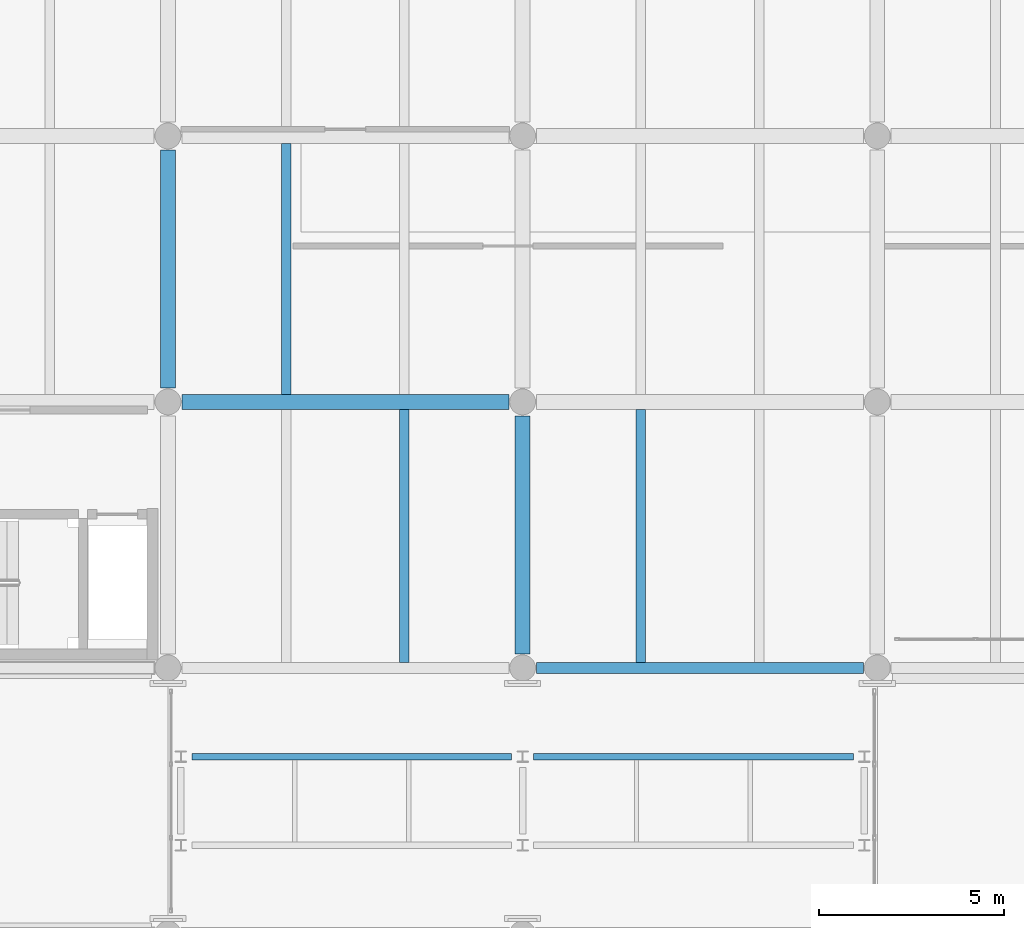
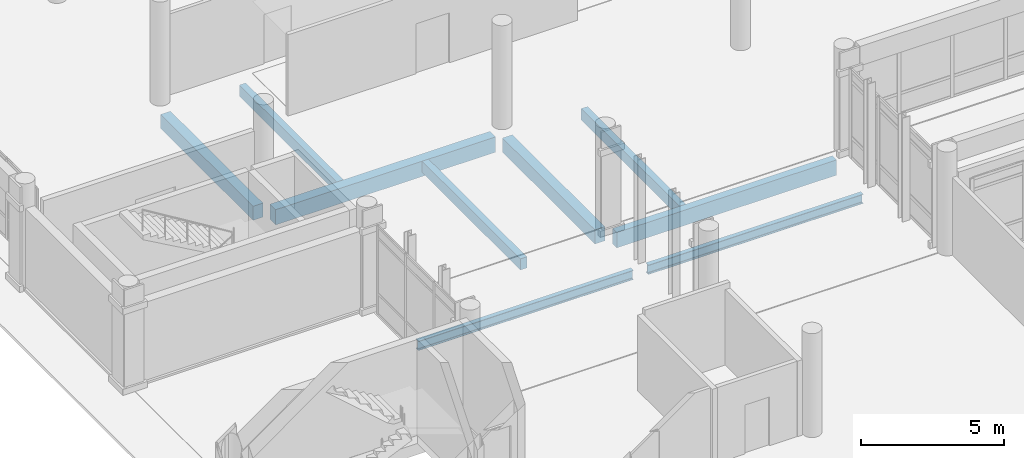
# One storey, part 49 of 196: 9 beams.
"""IFC4 building model written with IfcOpenShell, lengths in metres."""

from ifc_helpers import new_model, si_unit, direction, frame, origin, origin_2d, place, context, subcontext, project, spatial, rectangle, i_section, extrude, material, material_profile, profile_set, type_object, element, save


model = new_model("IFC4")

# Units and contexts
model_context = context("Model", 3, precision=1e-05, world=origin(), true_north=direction((0.0, 1.0)))
body_context = subcontext(model_context, "Body", "Model", "MODEL_VIEW")
ifc_project = project(units=[si_unit("LENGTHUNIT", "METRE"), si_unit("AREAUNIT", "SQUARE_METRE"), si_unit("VOLUMEUNIT", "CUBIC_METRE"), si_unit("PLANEANGLEUNIT", "RADIAN"), si_unit("MASSUNIT", "GRAM", prefix="KILO")], contexts=[model_context])

# Site, building, storey
site_placement = place(None, origin())
site = spatial("IfcSite", under=ifc_project, at=site_placement, CompositionType="ELEMENT")
building_placement = place(site_placement, origin())
building = spatial("IfcBuilding", under=site, at=building_placement, Name="Asteropetra Specialist Clinic", CompositionType="ELEMENT")
storey_placement = place(building_placement, origin())
storey = spatial("IfcBuildingStorey", under=building, at=storey_placement, Name="L00", CompositionType="ELEMENT", Elevation=0.0)

# Beams
ifc_material_1 = material(Name="Concrete C35/45", Category="concrete")
ifc_material_profile_1 = material_profile(ifc_material_1, rectangle(XDim=0.39990234375, YDim=0.60009765625, at=origin_2d()), Name="RCB 400x600")
ifc_profile_set_1 = profile_set([ifc_material_profile_1], Name="Concrete C35/45")
beam_type_1 = type_object("IfcBeamType", Name="BM-RC400x600", PredefinedType="BEAM", material=ifc_profile_set_1)
for number, where, z_axis, x_axis, name in (
    (1, (19.199951171875, 33.97509765625, -0.60009765625), (0.0, 1.0, 0.0), (-1.0, 0.0, 0.0), "Beam BBM08-0160"),
    (2, (9.60009765625, 41.175048828125, -0.60009765625), (0.0, 1.0, 0.0), (-1.0, 0.0, 0.0), "Beam BBM08-0173"),
):
    element("IfcBeam", number, at=place(storey_placement, frame(where, z_axis=z_axis, x_axis=x_axis)), inside=storey, type_object=beam_type_1, Name=name, PredefinedType="BEAM", context=body_context, shape_type="SweptSolid", body=[
        extrude(rectangle(XDim=0.39990234375, YDim=0.60009765625, at=origin_2d()), origin(), (0.0, 0.0, 1.0), 6.449951171875),
    ])
ifc_material_2 = material(Name="Concrete C35/45", Category="concrete")
ifc_material_profile_2 = material_profile(ifc_material_2, rectangle(XDim=0.39990234375, YDim=0.64990234375, at=origin_2d()), Name="RCB 400x650")
ifc_profile_set_2 = profile_set([ifc_material_profile_2], Name="Concrete C35/45")
beam_type_2 = type_object("IfcBeamType", Name="BM-RC400x650", PredefinedType="BEAM", material=ifc_profile_set_2)
beam_1_placement = place(storey_placement, frame((9.97509765625, 40.800048828125, -0.625), z_axis=(1.0, 0.0, 0.0), x_axis=(0.0, 1.0, 0.0)))
element("IfcBeam", 3, at=beam_1_placement, inside=storey, type_object=beam_type_2, Name="Beam BBM07-0139", PredefinedType="BEAM", context=body_context, shape_type="SweptSolid", body=[
    extrude(rectangle(XDim=0.39990234375, YDim=0.64990234375, at=origin_2d()), origin(), (0.0, 0.0, 1.0), 8.849853515625),
])
ifc_material_3 = material(Name="Steel S355", Category="steel")
ifc_material_profile_3 = material_profile(ifc_material_3, i_section(OverallWidth=0.179931640625, OverallDepth=0.39990234375, WebThickness=0.008544921875, FlangeThickness=0.013427734375, FilletRadius=0.02099609375, at=origin_2d()), Name="IPE 400")
ifc_profile_set_3 = profile_set([ifc_material_profile_3], Name="Steel S355")
beam_type_3 = type_object("IfcBeamType", Name="BM-STL-IPE400", PredefinedType="BEAM", material=ifc_profile_set_3)
for number, where, z_axis, x_axis, name in (
    (4, (10.25, 31.199951171875, -0.43994140625), (1.0, 0.0, 0.0), (0.0, 1.0, 0.0), "Beam BBMS3-0217"),
    (5, (19.5, 31.199951171875, -0.43994140625), (1.0, 0.0, 0.0), (0.0, 1.0, 0.0), "Beam BBMS3-0218"),
):
    element("IfcBeam", number, at=place(storey_placement, frame(where, z_axis=z_axis, x_axis=x_axis)), inside=storey, type_object=beam_type_3, Name=name, PredefinedType="BEAM", context=body_context, shape_type="SweptSolid", body=[
        extrude(i_section(OverallWidth=0.179931640625, OverallDepth=0.39990234375, WebThickness=0.008544921875, FlangeThickness=0.013427734375, FilletRadius=0.02099609375, at=origin_2d()), origin(), (0.0, 0.0, 1.0), 8.64990234375),
    ])
ifc_material_4 = material(Name="Concrete C35/45", Category="concrete")
ifc_material_profile_4 = material_profile(ifc_material_4, rectangle(XDim=0.260009765625, YDim=0.47998046875, at=origin_2d()), Name="RCJ 260x480")
ifc_profile_set_4 = profile_set([ifc_material_profile_4], Name="Concrete C35/45")
beam_type_4 = type_object("IfcBeamType", Name="JST-RC260x480", PredefinedType="JOIST", material=ifc_profile_set_4)
for number, where, z_axis, x_axis, name in (
    (6, (16.0, 33.75, -0.5400390625), (0.0, 1.0, 0.0), (-1.0, 0.0, 0.0), "Joist JJST02-0165"),
    (7, (22.39990234375, 33.75, -0.5400390625), (0.0, 1.0, 0.0), (-1.0, 0.0, 0.0), "Joist JJST02-0166"),
):
    element("IfcBeam", number, at=place(storey_placement, frame(where, z_axis=z_axis, x_axis=x_axis)), inside=storey, type_object=beam_type_4, Name=name, PredefinedType="JOIST", context=body_context, shape_type="SweptSolid", body=[
        extrude(rectangle(XDim=0.260009765625, YDim=0.47998046875, at=origin_2d()), origin(), (0.0, 0.0, 1.0), 6.85009765625),
    ])
beam_2_placement = place(storey_placement, frame((12.800048828125, 41.0, -0.5400390625), z_axis=(0.0, 1.0, 0.0), x_axis=(-1.0, 0.0, 0.0)))
element("IfcBeam", 8, at=beam_2_placement, inside=storey, type_object=beam_type_4, Name="Joist JJST02-0179", PredefinedType="JOIST", context=body_context, shape_type="SweptSolid", body=[
    extrude(rectangle(XDim=0.260009765625, YDim=0.47998046875, at=origin_2d()), origin(), (0.0, 0.0, 1.0), 6.800048828125),
])
ifc_material_5 = material(Name="Concrete C35/45", Category="concrete")
ifc_material_profile_5 = material_profile(ifc_material_5, rectangle(XDim=0.300048828125, YDim=0.64990234375, at=origin_2d()), Name="RCS 300x650")
ifc_profile_set_5 = profile_set([ifc_material_profile_5], Name="Concrete C35/45")
beam_type_5 = type_object("IfcBeamType", Name="SPN-RC300x650", PredefinedType="SPANDREL", material=ifc_profile_set_5)
beam_3_placement = place(storey_placement, frame((19.574951171875, 33.60009765625, -0.625), z_axis=(1.0, 0.0, 0.0), x_axis=(0.0, 1.0, 0.0)))
element("IfcBeam", 9, at=beam_3_placement, inside=storey, type_object=beam_type_5, Name="Beam BSPN03-0135", PredefinedType="SPANDREL", context=body_context, shape_type="SweptSolid", body=[
    extrude(rectangle(XDim=0.300048828125, YDim=0.64990234375, at=origin_2d()), origin(), (0.0, 0.0, 1.0), 8.85009765625),
])

save(model, "model.ifc")
